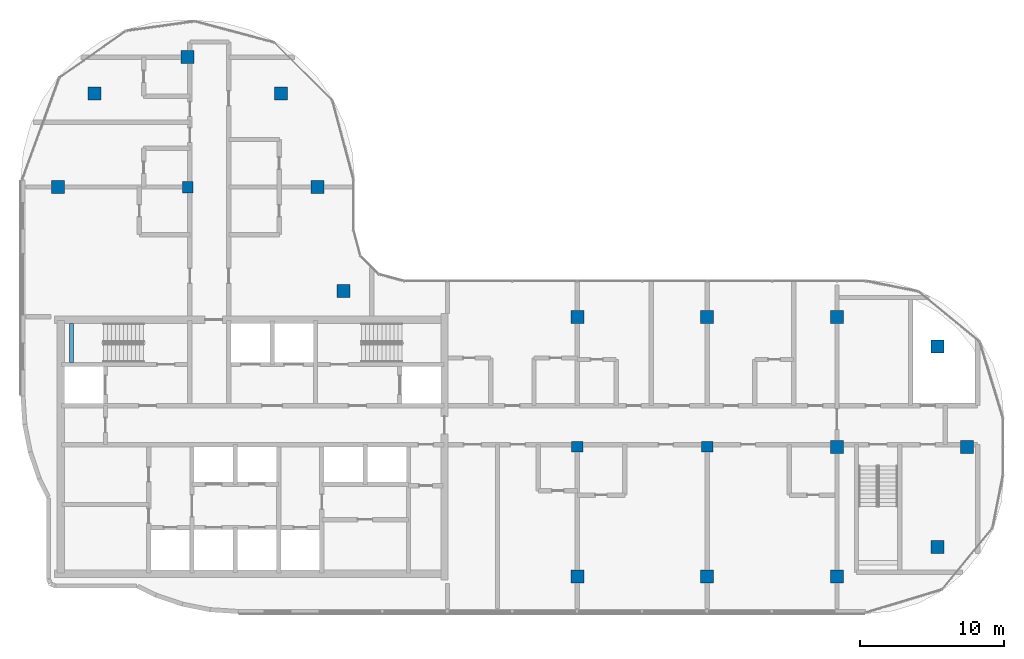
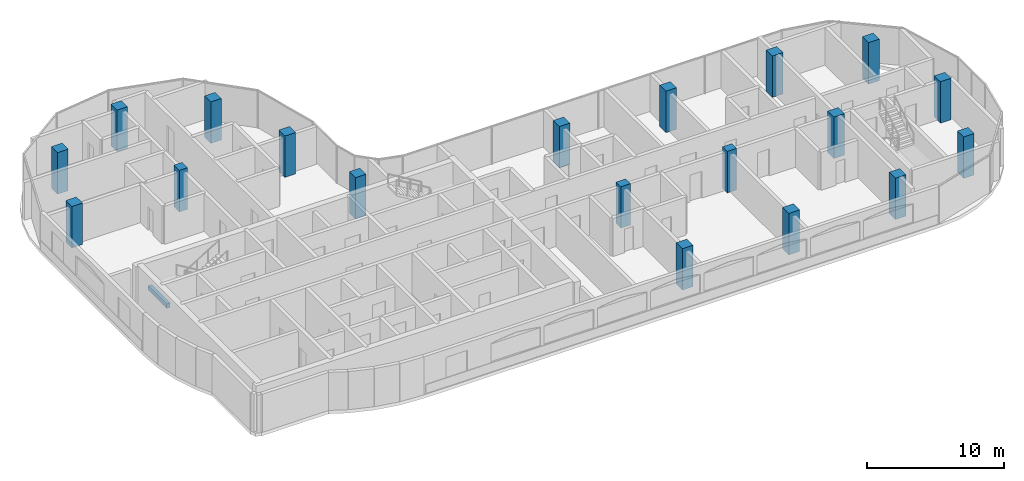
# One storey, part 1 of 18: 19 columns, 1 beam.
"""IFC4 building model written with IfcOpenShell, lengths in metres."""

from ifc_helpers import new_model, si_unit, direction, frame, origin, origin_2d, place, context, subcontext, project, spatial, rectangle, extrude, material, material_profile, profile_set, type_object, element, save


model = new_model("IFC4")

# Units and contexts
model_context = context("Model", 3, precision=1e-05, world=origin(), true_north=direction((0.0, 1.0)))
body_context = subcontext(model_context, "Body", "Model", "MODEL_VIEW")
ifc_project = project(units=[si_unit("LENGTHUNIT", "METRE"), si_unit("AREAUNIT", "SQUARE_METRE"), si_unit("VOLUMEUNIT", "CUBIC_METRE"), si_unit("PLANEANGLEUNIT", "RADIAN"), si_unit("MASSUNIT", "GRAM", prefix="KILO")], contexts=[model_context])

# Site, building, storey
site_placement = place(None, origin())
site = spatial("IfcSite", under=ifc_project, at=site_placement, CompositionType="ELEMENT")
building_placement = place(site_placement, origin())
building = spatial("IfcBuilding", under=site, at=building_placement, Name="Ogive Portal Towers", CompositionType="ELEMENT")
storey_placement = place(building_placement, frame((0.0, 0.0, 240.199951171875)))
storey = spatial("IfcBuildingStorey", under=building, at=storey_placement, Name="L60", CompositionType="ELEMENT", Elevation=240.199951171875)

# Columns
ifc_material_1 = material(Name="Concrete C60/75", Category="concrete")
ifc_material_profile_1 = material_profile(ifc_material_1, rectangle(XDim=0.800048828125, YDim=0.699951171875, at=origin_2d()), Name="RC 800x700")
ifc_profile_set_1 = profile_set([ifc_material_profile_1], Name="Concrete C60/75")
column_type_1 = type_object("IfcColumnType", Name="COLUMN RC 800x700", PredefinedType="COLUMN", material=ifc_profile_set_1)
for number, where, z_axis, x_axis, name in (
    (1, (67.5, 30.5, 0.0), (0.0, 0.0, 1.0), (1.0, 0.0, 0.0), "Column 5/B L60"),
    (2, (76.5, 30.5, 0.0), (0.0, 0.0, 1.0), (1.0, 0.0, 0.0), "Column 6/B L60"),
    (3, (40.5, 48.5, 0.0), (0.0, 0.0, 1.0), (0.0, 1.0, 0.0), "Column 2/D L60"),
):
    element("IfcColumn", number, at=place(storey_placement, frame(where, z_axis=z_axis, x_axis=x_axis)), inside=storey, type_object=column_type_1, Name=name, PredefinedType="COLUMN", context=body_context, shape_type="SweptSolid", body=[
        extrude(rectangle(XDim=0.800048828125, YDim=0.699951171875, at=origin_2d()), origin(), (0.0, 0.0, 1.0), 3.699951171875),
    ])
ifc_material_profile_2 = material_profile(ifc_material_1, rectangle(XDim=0.89990234375, YDim=0.89990234375, at=origin_2d()), Name="RC 900x900")
ifc_profile_set_2 = profile_set([ifc_material_profile_2], Name="Concrete C60/75")
column_type_2 = type_object("IfcColumnType", Name="COLUMN RC 900x900", PredefinedType="COLUMN", material=ifc_profile_set_2)
for number, where, z_axis, x_axis, name in (
    (4, (67.5, 21.5, 0.0), (0.0, 0.0, 1.0), (1.0, 0.0, 0.0), "Column 5/A L60"),
    (5, (76.5, 21.5, 0.0), (0.0, 0.0, 1.0), (1.0, 0.0, 0.0), "Column 6/A L60"),
    (6, (85.5, 21.5, 0.0), (0.0, 0.0, 1.0), (1.0, 0.0, 0.0), "Column 7/A L60"),
    (7, (92.449951171875, 23.550048828125, 0.0), (0.0, 0.0, 1.0), (1.0, 0.0, 0.0), "Column L60"),
    (8, (85.5, 30.5, 0.0), (0.0, 0.0, 1.0), (1.0, 0.0, 0.0), "Column 7/B L60"),
    (9, (94.5, 30.5, 0.0), (0.0, 0.0, 1.0), (1.0, 0.0, 0.0), "Column 8/B L60"),
    (10, (92.449951171875, 37.449951171875, 0.0), (0.0, 0.0, 1.0), (1.0, 0.0, 0.0), "Column L60"),
    (11, (67.5, 39.5, 0.0), (0.0, 0.0, 1.0), (1.0, 0.0, 0.0), "Column 5/C L60"),
    (12, (76.5, 39.5, 0.0), (0.0, 0.0, 1.0), (1.0, 0.0, 0.0), "Column 6/C L60"),
    (13, (85.5, 39.5, 0.0), (0.0, 0.0, 1.0), (1.0, 0.0, 0.0), "Column 7/C L60"),
    (14, (51.31005859375, 41.31005859375, 0.0), (0.0, 0.0, 1.0), (1.0, 0.0, 0.0), "Column L60"),
    (15, (31.5, 48.5, 0.0), (0.0, 0.0, 1.0), (1.0, 0.0, 0.0), "Column 1/D L60"),
    (16, (49.5, 48.5, 0.0), (0.0, 0.0, 1.0), (1.0, 0.0, 0.0), "Column 3/D L60"),
    (17, (34.027099609375, 54.972900390625, 0.0), (0.0, 0.0, 1.0), (1.0, 0.0, 0.0), "Column L60"),
    (18, (46.972900390625, 54.972900390625, 0.0), (0.0, 0.0, 1.0), (1.0, 0.0, 0.0), "Column L60"),
    (19, (40.5, 57.5, 0.0), (0.0, 0.0, 1.0), (1.0, 0.0, 0.0), "Column 2/E L60"),
):
    element("IfcColumn", number, at=place(storey_placement, frame(where, z_axis=z_axis, x_axis=x_axis)), inside=storey, type_object=column_type_2, Name=name, PredefinedType="COLUMN", context=body_context, shape_type="SweptSolid", body=[
        extrude(rectangle(XDim=0.89990234375, YDim=0.89990234375, at=origin_2d()), origin(), (0.0, 0.0, 1.0), 3.699951171875),
    ])

# Beam
ifc_material_2 = material(Name="Concrete C40/50", Category="concrete")
ifc_material_profile_3 = material_profile(ifc_material_2, rectangle(XDim=0.300048828125, YDim=0.39990234375, at=origin_2d()), Name="RC 300x400")
ifc_profile_set_3 = profile_set([ifc_material_profile_3], Name="Concrete C40/50")
beam_type = type_object("IfcBeamType", Name="BEAM RC 300x400", PredefinedType="BEAM", material=ifc_profile_set_3)
beam_placement = place(storey_placement, frame((32.449951171875, 36.35009765625, 1.449951171875), z_axis=(0.0, 1.0, 0.0), x_axis=(-1.0, 0.0, 0.0)))
element("IfcBeam", 20, at=beam_placement, inside=storey, type_object=beam_type, Name="Landing beam L60", PredefinedType="BEAM", context=body_context, shape_type="SweptSolid", body=[
    extrude(rectangle(XDim=0.300048828125, YDim=0.39990234375, at=origin_2d()), origin(), (0.0, 0.0, 1.0), 2.699951171875),
])

save(model, "model.ifc")
